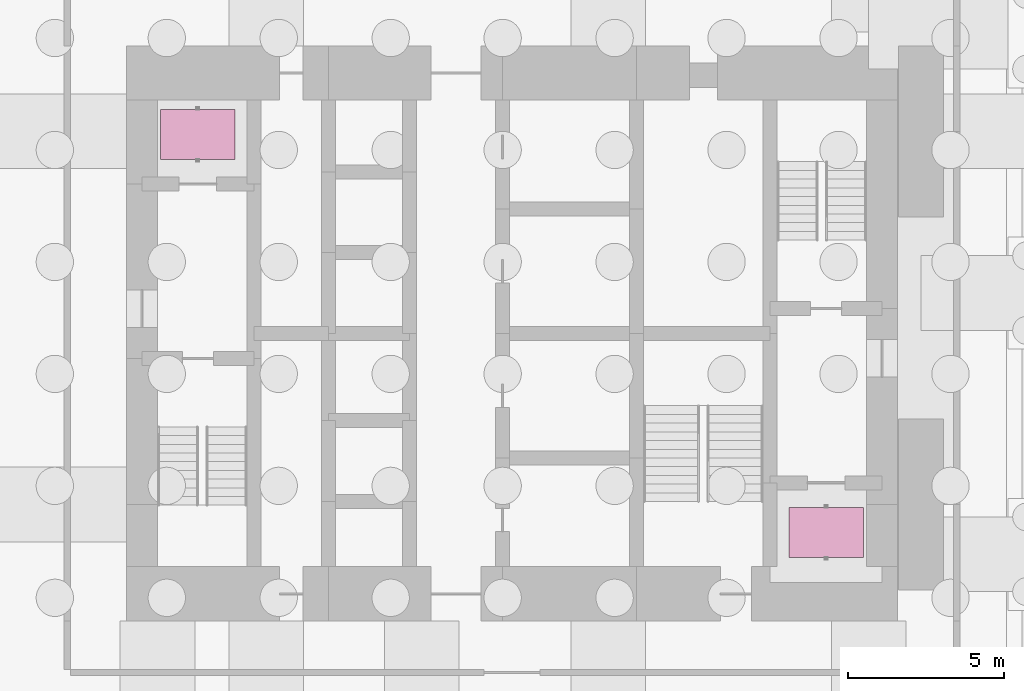
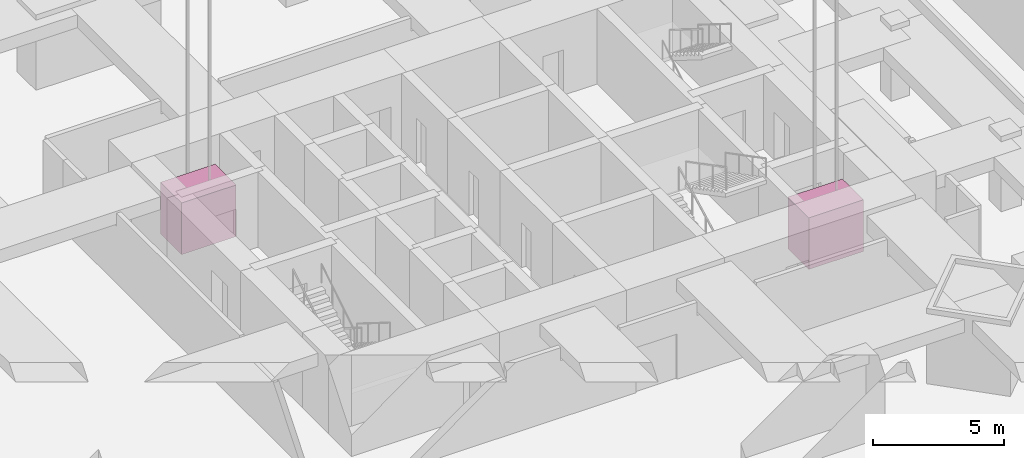
# One storey, part 15 of 15: 2 transport elements.
"""IFC4 building model written with IfcOpenShell, lengths in metres."""

from ifc_helpers import new_model, si_unit, direction, frame, origin, origin_2d, place, context, subcontext, project, spatial, rectangle, extrude, material, type_object, element, save


model = new_model("IFC4")

# Units and contexts
model_context = context("Model", 3, precision=1e-05, world=origin(), true_north=direction((0.0, 1.0)))
body_context = subcontext(model_context, "Body", "Model", "MODEL_VIEW")
ifc_project = project(units=[si_unit("LENGTHUNIT", "METRE"), si_unit("AREAUNIT", "SQUARE_METRE"), si_unit("VOLUMEUNIT", "CUBIC_METRE"), si_unit("PLANEANGLEUNIT", "RADIAN"), si_unit("MASSUNIT", "GRAM", prefix="KILO")], contexts=[model_context])

# Site, building, storey
site_placement = place(None, origin())
site = spatial("IfcSite", under=ifc_project, at=site_placement, CompositionType="ELEMENT")
building_placement = place(site_placement, origin())
building = spatial("IfcBuilding", under=site, at=building_placement, Name="Jalousie Tower", CompositionType="ELEMENT")
storey_placement = place(building_placement, frame((0.0, 0.0, -7.5)))
storey = spatial("IfcBuildingStorey", under=building, at=storey_placement, Name="B2", CompositionType="ELEMENT", Elevation=-7.5)

# Transport elements
ifc_material = material(Name="Stainless steel AISI 304", Category="steel")
transport_element_type = type_object("IfcTransportElementType", Name="FIRE SERVICE ACCESS LIFT CAR 1600x2400", PredefinedType="ELEVATOR", material=ifc_material)
for number, where, z_axis, x_axis, name in (
    (1, (21.800048828125, 24.89990234375, 0.0), (0.0, 0.0, 1.0), (1.0, 0.0, 0.0), "Lift F1"),
    (2, (42.0, 12.10009765625, 0.0), (0.0, 0.0, 1.0), (1.0, 0.0, 0.0), "Lift F2"),
):
    element("IfcTransportElement", number, at=place(storey_placement, frame(where, z_axis=z_axis, x_axis=x_axis)), inside=storey, type_object=transport_element_type, Name=name, PredefinedType="ELEVATOR", context=body_context, shape_type="SweptSolid", body=[
        extrude(rectangle(XDim=2.39990234375, YDim=1.60009765625, at=origin_2d()), origin(), (0.0, 0.0, 1.0), 2.39990234375),
    ])

save(model, "model.ifc")
